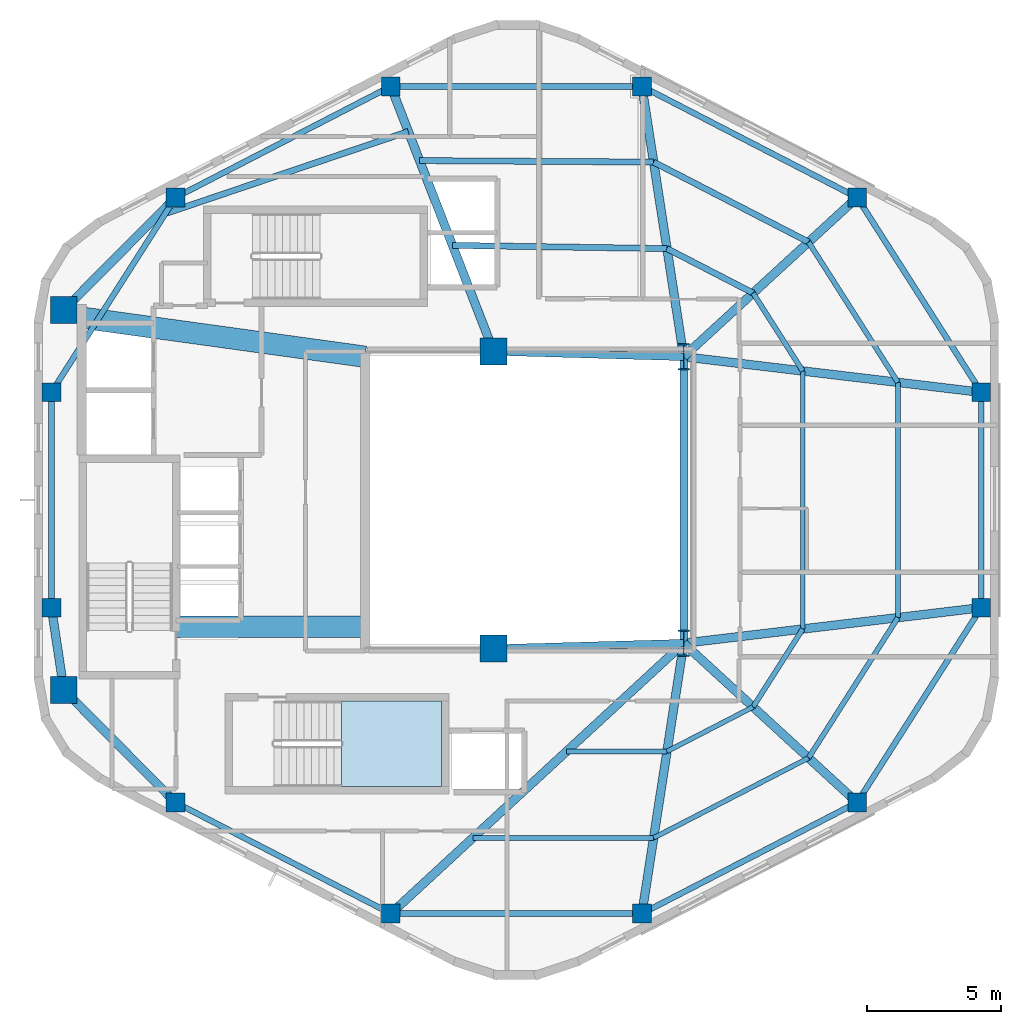
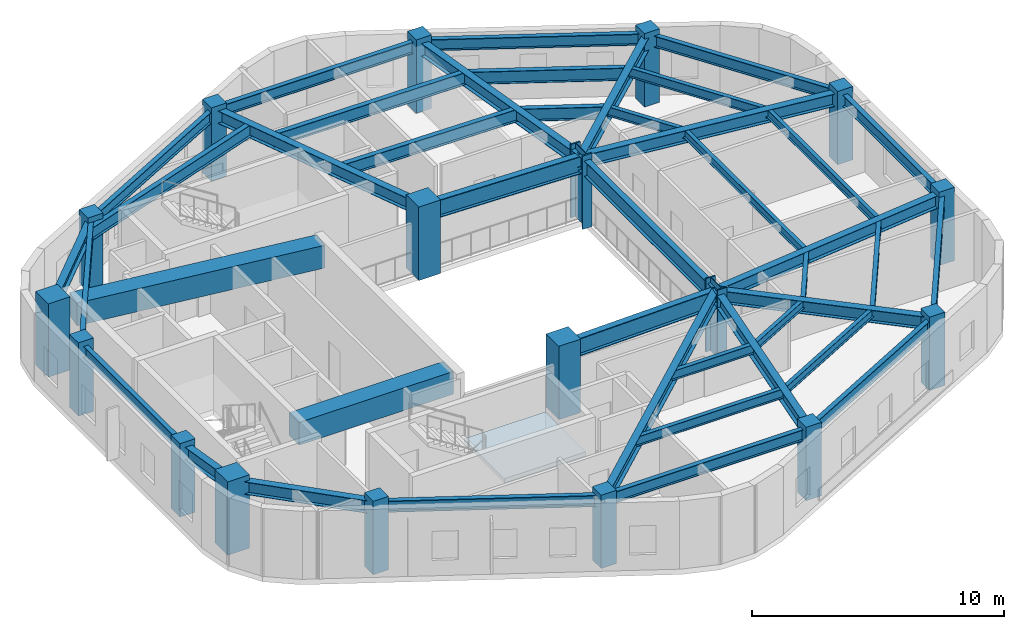
# One storey, part 1 of 7: 42 beams, 18 columns, 1 slab, 1 element without a shape of its own.
"""IFC4 building model written with IfcOpenShell, lengths in metres."""

from ifc_helpers import new_model, si_unit, direction, frame, origin, origin_2d, place, context, subcontext, project, spatial, polyline, rectangle, i_section, outline, extrude, material, layer, layer_set, material_profile, profile_set, type_object, element, aggregate, save


model = new_model("IFC4")

# Units and contexts
model_context = context("Model", 3, precision=1e-05, world=origin(), true_north=direction((0.0, 1.0)))
body_context = subcontext(model_context, "Body", "Model", "MODEL_VIEW")
ifc_project = project(units=[si_unit("LENGTHUNIT", "METRE"), si_unit("AREAUNIT", "SQUARE_METRE"), si_unit("VOLUMEUNIT", "CUBIC_METRE"), si_unit("PLANEANGLEUNIT", "RADIAN"), si_unit("MASSUNIT", "GRAM", prefix="KILO"), si_unit("THERMODYNAMICTEMPERATUREUNIT", "KELVIN"), si_unit("POWERUNIT", "WATT")], contexts=[model_context])

# Site, building, storey
site_placement = place(None, origin())
site = spatial("IfcSite", under=ifc_project, at=site_placement, CompositionType="ELEMENT")
building_placement = place(site_placement, origin())
building = spatial("IfcBuilding", under=site, at=building_placement, Name="Skarre Station Tower", CompositionType="ELEMENT")
storey_placement = place(building_placement, frame((0.0, 0.0, 263.199951171875)))
storey = spatial("IfcBuildingStorey", under=building, at=storey_placement, Name="L72", CompositionType="ELEMENT", Elevation=263.199951171875)

# Columns
ifc_material_1 = material(Name="Concrete C60/75", Category="concrete")
ifc_material_profile_1 = material_profile(ifc_material_1, rectangle(XDim=1.0, YDim=1.0, at=origin_2d()), Name="Concrete C60/75")
ifc_profile_set_1 = profile_set([ifc_material_profile_1], Name="Concrete C60/75")
column_type_1 = type_object("IfcColumnType", Name="RC Structural Column RC-COL-1000X1000", PredefinedType="COLUMN", material=ifc_profile_set_1)
for number, where, z_axis, x_axis, name in (
    (1, (16.300048828125, 16.89990234375, 0.0), (0.0, 0.0, 1.0), (1.0, 0.0, 0.0), "L72 Core Column CC-SW"),
    (2, (16.300048828125, 31.10009765625, 0.0), (0.0, 0.0, 1.0), (1.0, 0.0, 0.0), "L72 Core Column CC-NW"),
    (3, (32.35009765625, 18.449951171875, 0.0), (0.0, 0.0, 1.0), (1.0, 0.0, 0.0), "L72 Core Column CC-SE"),
    (4, (32.35009765625, 29.550048828125, 0.0), (0.0, 0.0, 1.0), (1.0, 0.0, 0.0), "L72 Core Column CC-NE"),
):
    element("IfcColumn", number, at=place(storey_placement, frame(where, z_axis=z_axis, x_axis=x_axis)), inside=storey, type_object=column_type_1, Name=name, PredefinedType="COLUMN", context=body_context, shape_type="SweptSolid", body=[
        extrude(rectangle(XDim=1.0, YDim=1.0, at=origin_2d()), origin(), (0.0, 0.0, 1.0), 3.550048828125),
    ])
ifc_material_2 = material(Name="Concrete C50/60", Category="concrete")
ifc_material_profile_2 = material_profile(ifc_material_2, rectangle(XDim=0.699951171875, YDim=0.699951171875, at=origin_2d()), Name="Concrete C50/60")
ifc_profile_set_2 = profile_set([ifc_material_profile_2], Name="Concrete C50/60")
column_type_2 = type_object("IfcColumnType", Name="RC Structural Column RC-COL-700X700", PredefinedType="COLUMN", material=ifc_profile_set_2)
for number, where, z_axis, x_axis, name in (
    (5, (45.927001953125, 35.298095703125, 0.0), (0.0, 0.0, 1.0), (1.0, 0.0, 0.0), "L72 Zone 4 Perimeter Column F0C1"),
    (6, (37.888916015625, 39.447021484375, 0.0), (0.0, 0.0, 1.0), (1.0, 0.0, 0.0), "L72 Zone 4 Perimeter Column F0C2"),
    (7, (28.510986328125, 39.447021484375, 0.0), (0.0, 0.0, 1.0), (1.0, 0.0, 0.0), "L72 Zone 4 Perimeter Column F1C1"),
    (8, (20.472900390625, 35.298095703125, 0.0), (0.0, 0.0, 1.0), (1.0, 0.0, 0.0), "L72 Zone 4 Perimeter Column F1C2"),
    (9, (15.8369140625, 28.02099609375, 0.0), (0.0, 0.0, 1.0), (1.0, 0.0, 0.0), "L72 Zone 4 Perimeter Column F2C1"),
    (10, (15.8369140625, 19.97900390625, 0.0), (0.0, 0.0, 1.0), (1.0, 0.0, 0.0), "L72 Zone 4 Perimeter Column F2C2"),
    (11, (20.472900390625, 12.701904296875, 0.0), (0.0, 0.0, 1.0), (1.0, 0.0, 0.0), "L72 Zone 4 Perimeter Column F3C1"),
    (12, (28.510986328125, 8.552978515625, 0.0), (0.0, 0.0, 1.0), (1.0, 0.0, 0.0), "L72 Zone 4 Perimeter Column F3C2"),
    (13, (37.888916015625, 8.552978515625, 0.0), (0.0, 0.0, 1.0), (1.0, 0.0, 0.0), "L72 Zone 4 Perimeter Column F4C1"),
    (14, (45.927001953125, 12.701904296875, 0.0), (0.0, 0.0, 1.0), (1.0, 0.0, 0.0), "L72 Zone 4 Perimeter Column F4C2"),
    (15, (50.56298828125, 19.97900390625, 0.0), (0.0, 0.0, 1.0), (1.0, 0.0, 0.0), "L72 Zone 4 Perimeter Column F5C1"),
    (16, (50.56298828125, 28.02099609375, 0.0), (0.0, 0.0, 1.0), (1.0, 0.0, 0.0), "L72 Zone 4 Perimeter Column F5C2"),
):
    element("IfcColumn", number, at=place(storey_placement, frame(where, z_axis=z_axis, x_axis=x_axis)), inside=storey, type_object=column_type_2, Name=name, PredefinedType="COLUMN", context=body_context, shape_type="SweptSolid", body=[
        extrude(rectangle(XDim=0.699951171875, YDim=0.699951171875, at=origin_2d()), origin(), (0.0, 0.0, 1.0), 3.550048828125),
    ])
ifc_material_3 = material(Name="Steel ASTM A913 Grade 65", Category="steel")
ifc_material_profile_3 = material_profile(ifc_material_3, i_section(OverallWidth=0.430908203125, OverallDepth=0.987060546875, WebThickness=0.033935546875, FlangeThickness=0.06201171875, at=origin_2d()), Name="Steel ASTM A913 Grade 65")
ifc_profile_set_3 = profile_set([ifc_material_profile_3], Name="Steel ASTM A913 Grade 65")
column_type_3 = type_object("IfcColumnType", Name="Steel Column W36X441", PredefinedType="COLUMN", material=ifc_profile_set_3)
for number, where, z_axis, x_axis, name in (
    (17, (39.449951171875, 18.64990234375, 0.0), (0.0, 0.0, 1.0), (1.0, 0.0, 0.0), "L72 Atrium Spine Column AC-SE"),
    (18, (39.449951171875, 29.35009765625, 0.0), (0.0, 0.0, 1.0), (1.0, 0.0, 0.0), "L72 Atrium Spine Column AC-NE"),
):
    element("IfcColumn", number, at=place(storey_placement, frame(where, z_axis=z_axis, x_axis=x_axis)), inside=storey, type_object=column_type_3, Name=name, PredefinedType="COLUMN", context=body_context, shape_type="SweptSolid", body=[
        extrude(i_section(OverallWidth=0.430908203125, OverallDepth=0.987060546875, WebThickness=0.033935546875, FlangeThickness=0.06201171875, at=origin_2d()), origin(), (0.0, 0.0, 1.0), 3.550048828125),
    ])

# Beams
ifc_material_4 = material(Name="Concrete C70/85", Category="concrete")
ifc_material_profile_4 = material_profile(ifc_material_4, rectangle(XDim=0.800048828125, YDim=1.10009765625, at=origin_2d()), Name="Concrete C70/85")
ifc_profile_set_4 = profile_set([ifc_material_profile_4], Name="Concrete C70/85")
beam_type_1 = type_object("IfcBeamType", Name="RC Core Coupling Lintel 800x1100", PredefinedType="LINTEL", material=ifc_profile_set_4)
beam_1_placement = place(storey_placement, frame((20.489990234375, 19.260009765625, 2.739990234375), z_axis=(1.0, 0.0, 0.0), x_axis=(0.0, 1.0, 0.0)))
element("IfcBeam", 19, at=beam_1_placement, inside=storey, type_object=beam_type_1, Name="L72 South Core Coupling Lintel", PredefinedType="LINTEL", context=body_context, shape_type="SweptSolid", body=[
    extrude(rectangle(XDim=0.800048828125, YDim=1.10009765625, at=origin_2d()), origin(), (0.0, 0.0, 1.0), 7.06005859375),
])
beam_2_placement = place(storey_placement, frame((17.050048828125, 30.800048828125, 2.739990234375), z_axis=(0.990599723633, -0.136792498109, 0.0), x_axis=(0.136792498109, 0.990599723633, 0.0)))
element("IfcBeam", 20, at=beam_2_placement, inside=storey, type_object=beam_type_1, Name="L72 North Core Coupling Lintel", PredefinedType="LINTEL", context=body_context, shape_type="SweptSolid", body=[
    extrude(rectangle(XDim=0.800048828125, YDim=1.10009765625, at=origin_2d()), origin(), (0.0, 0.0, 1.0), 10.599609375),
])
ifc_material_5 = material(Name="Steel ASTM A992 Grade 50", Category="steel")
ifc_material_profile_5 = material_profile(ifc_material_5, i_section(OverallWidth=0.323974609375, OverallDepth=0.611083984375, WebThickness=0.012939453125, FlangeThickness=0.01904296875, at=origin_2d()), Name="Steel ASTM A992 Grade 50")
ifc_profile_set_5 = profile_set([ifc_material_profile_5], Name="Steel ASTM A992 Grade 50")
beam_type_2 = type_object("IfcBeamType", Name="Steel Beam W24X104", PredefinedType="BEAM", material=ifc_profile_set_5)
beam_3_placement = place(storey_placement, frame((39.449951171875, 29.35009765625, 2.985107421875), z_axis=(0.736547671183, 0.676385635621, 0.0), x_axis=(-0.676385635621, 0.736547671183, 0.0)))
element("IfcBeam", 21, at=beam_3_placement, inside=storey, type_object=beam_type_2, Name="L72 Radial Floor Girder F0C1", PredefinedType="BEAM", context=body_context, shape_type="SweptSolid", body=[
    extrude(i_section(OverallWidth=0.323974609375, OverallDepth=0.611083984375, WebThickness=0.012939453125, FlangeThickness=0.01904296875, at=origin_2d()), origin(), (0.0, 0.0, 1.0), 8.793701171875),
])
beam_4_placement = place(storey_placement, frame((39.449951171875, 29.35009765625, 2.985107421875), z_axis=(-0.152789762931, 0.988258715288, 0.0), x_axis=(-0.988258715288, -0.152789762931, 0.0)))
element("IfcBeam", 22, at=beam_4_placement, inside=storey, type_object=beam_type_2, Name="L72 Radial Floor Girder F0C2", PredefinedType="BEAM", context=body_context, shape_type="SweptSolid", body=[
    extrude(i_section(OverallWidth=0.323974609375, OverallDepth=0.611083984375, WebThickness=0.012939453125, FlangeThickness=0.01904296875, at=origin_2d()), origin(), (0.0, 0.0, 1.0), 10.216796875),
])
beam_5_placement = place(storey_placement, frame((32.35009765625, 29.550048828125, 2.985107421875), z_axis=(-0.361651478681, 0.932313363611, 0.0), x_axis=(-0.932313363611, -0.361651478681, 0.0)))
element("IfcBeam", 23, at=beam_5_placement, inside=storey, type_object=beam_type_2, Name="L72 Radial Floor Girder F1C1", PredefinedType="BEAM", context=body_context, shape_type="SweptSolid", body=[
    extrude(i_section(OverallWidth=0.323974609375, OverallDepth=0.611083984375, WebThickness=0.012939453125, FlangeThickness=0.01904296875, at=origin_2d()), origin(), (0.0, 0.0, 1.0), 10.615478515625),
])
beam_6_placement = place(storey_placement, frame((16.300048828125, 31.10009765625, 2.985107421875), z_axis=(0.704979413242, 0.709227768002, 0.0), x_axis=(-0.709227768002, 0.704979413242, 0.0)))
element("IfcBeam", 24, at=beam_6_placement, inside=storey, type_object=beam_type_2, Name="L72 Radial Floor Girder F1C2", PredefinedType="BEAM", context=body_context, shape_type="SweptSolid", body=[
    extrude(i_section(OverallWidth=0.323974609375, OverallDepth=0.611083984375, WebThickness=0.012939453125, FlangeThickness=0.01904296875, at=origin_2d()), origin(), (0.0, 0.0, 1.0), 5.919189453125),
])
beam_7_placement = place(storey_placement, frame((16.300048828125, 16.89990234375, 2.985107421875), z_axis=(-0.148739188492, 0.988876460336, 0.0), x_axis=(-0.988876460336, -0.148739188492, 0.0)))
element("IfcBeam", 25, at=beam_7_placement, inside=storey, type_object=beam_type_2, Name="L72 Radial Floor Girder F2C2", PredefinedType="BEAM", context=body_context, shape_type="SweptSolid", body=[
    extrude(i_section(OverallWidth=0.323974609375, OverallDepth=0.611083984375, WebThickness=0.012939453125, FlangeThickness=0.01904296875, at=origin_2d()), origin(), (0.0, 0.0, 1.0), 3.11376953125),
])
beam_8_placement = place(storey_placement, frame((16.300048828125, 16.89990234375, 2.985107421875), z_axis=(0.704979413242, -0.709227768002, 0.0), x_axis=(0.709227768002, 0.704979413242, 0.0)))
element("IfcBeam", 26, at=beam_8_placement, inside=storey, type_object=beam_type_2, Name="L72 Radial Floor Girder F3C1", PredefinedType="BEAM", context=body_context, shape_type="SweptSolid", body=[
    extrude(i_section(OverallWidth=0.323974609375, OverallDepth=0.611083984375, WebThickness=0.012939453125, FlangeThickness=0.01904296875, at=origin_2d()), origin(), (0.0, 0.0, 1.0), 5.919189453125),
])
beam_9_placement = place(storey_placement, frame((39.449951171875, 18.64990234375, 2.985107421875), z_axis=(-0.734822935818, -0.678258986668, 0.0), x_axis=(0.678258986668, -0.734822935818, 0.0)))
element("IfcBeam", 27, at=beam_9_placement, inside=storey, type_object=beam_type_2, Name="L72 Radial Floor Girder F3C2", PredefinedType="BEAM", context=body_context, shape_type="SweptSolid", body=[
    extrude(i_section(OverallWidth=0.323974609375, OverallDepth=0.611083984375, WebThickness=0.012939453125, FlangeThickness=0.01904296875, at=origin_2d()), origin(), (0.0, 0.0, 1.0), 14.886474609375),
])
beam_10_placement = place(storey_placement, frame((39.449951171875, 18.64990234375, 2.985107421875), z_axis=(-0.152789762931, -0.988258715288, 0.0), x_axis=(0.988258715288, -0.152789762931, 0.0)))
element("IfcBeam", 28, at=beam_10_placement, inside=storey, type_object=beam_type_2, Name="L72 Radial Floor Girder F4C1", PredefinedType="BEAM", context=body_context, shape_type="SweptSolid", body=[
    extrude(i_section(OverallWidth=0.323974609375, OverallDepth=0.611083984375, WebThickness=0.012939453125, FlangeThickness=0.01904296875, at=origin_2d()), origin(), (0.0, 0.0, 1.0), 10.216796875),
])
beam_11_placement = place(storey_placement, frame((39.449951171875, 18.64990234375, 2.985107421875), z_axis=(0.736547671183, -0.676385635621, 0.0), x_axis=(0.676385635621, 0.736547671183, 0.0)))
element("IfcBeam", 29, at=beam_11_placement, inside=storey, type_object=beam_type_2, Name="L72 Radial Floor Girder F4C2", PredefinedType="BEAM", context=body_context, shape_type="SweptSolid", body=[
    extrude(i_section(OverallWidth=0.323974609375, OverallDepth=0.611083984375, WebThickness=0.012939453125, FlangeThickness=0.01904296875, at=origin_2d()), origin(), (0.0, 0.0, 1.0), 8.793701171875),
])
for number, where, z_axis, x_axis, name in (
    (30, (39.449951171875, 18.64990234375, 2.985107421875), (0.99292393128, 0.118752122891, 0.0), (-0.118752122891, 0.99292393128, 0.0), "L72 Radial Floor Girder F5C1"),
    (31, (39.449951171875, 29.35009765625, 2.985107421875), (0.99292393128, -0.118752122891, 0.0), (0.118752122891, 0.99292393128, 0.0), "L72 Radial Floor Girder F5C2"),
):
    element("IfcBeam", number, at=place(storey_placement, frame(where, z_axis=z_axis, x_axis=x_axis)), inside=storey, type_object=beam_type_2, Name=name, PredefinedType="BEAM", context=body_context, shape_type="SweptSolid", body=[
        extrude(i_section(OverallWidth=0.323974609375, OverallDepth=0.611083984375, WebThickness=0.012939453125, FlangeThickness=0.01904296875, at=origin_2d()), origin(), (0.0, 0.0, 1.0), 11.192138671875),
    ])
ifc_material_profile_6 = material_profile(ifc_material_5, i_section(OverallWidth=0.26806640625, OverallDepth=0.77001953125, WebThickness=0.01611328125, FlangeThickness=0.02490234375, at=origin_2d()), Name="Steel ASTM A992 Grade 50")
ifc_profile_set_6 = profile_set([ifc_material_profile_6], Name="Steel ASTM A992 Grade 50")
beam_type_3 = type_object("IfcBeamType", Name="Steel Beam W30X132", PredefinedType="BEAM", material=ifc_profile_set_6)
beam_12_placement = place(storey_placement, frame((39.449951171875, 18.64990234375, 2.905029296875), z_axis=(0.0, 1.0, 0.0), x_axis=(-1.0, 0.0, 0.0)))
element("IfcBeam", 32, at=beam_12_placement, inside=storey, type_object=beam_type_3, Name="L72 Atrium East Edge Girder", PredefinedType="BEAM", context=body_context, shape_type="SweptSolid", body=[
    extrude(i_section(OverallWidth=0.26806640625, OverallDepth=0.77001953125, WebThickness=0.01611328125, FlangeThickness=0.02490234375, at=origin_2d()), origin(), (0.0, 0.0, 1.0), 10.7001953125),
])
ifc_material_profile_7 = material_profile(ifc_material_5, i_section(OverallWidth=0.2919921875, OverallDepth=0.85888671875, WebThickness=0.01708984375, FlangeThickness=0.031005859375, at=origin_2d()), Name="Steel ASTM A992 Grade 50")
ifc_profile_set_7 = profile_set([ifc_material_profile_7], Name="Steel ASTM A992 Grade 50")
beam_type_4 = type_object("IfcBeamType", Name="Steel Beam W33X169", PredefinedType="BEAM", material=ifc_profile_set_7)
for number, where, z_axis, x_axis, name in (
    (33, (32.35009765625, 18.449951171875, 2.860107421875), (0.999603666405, 0.028151556095, 0.0), (-0.028151556095, 0.999603666405, 0.0), "L72 Atrium South Edge Girder"),
    (34, (32.35009765625, 29.550048828125, 2.860107421875), (0.999603666405, -0.028151556095, 0.0), (0.028151556095, 0.999603666405, 0.0), "L72 Atrium North Edge Girder"),
):
    element("IfcBeam", number, at=place(storey_placement, frame(where, z_axis=z_axis, x_axis=x_axis)), inside=storey, type_object=beam_type_4, Name=name, PredefinedType="BEAM", context=body_context, shape_type="SweptSolid", body=[
        extrude(i_section(OverallWidth=0.2919921875, OverallDepth=0.85888671875, WebThickness=0.01708984375, FlangeThickness=0.031005859375, at=origin_2d()), origin(), (0.0, 0.0, 1.0), 7.102783203125),
    ])
ifc_material_profile_8 = material_profile(ifc_material_5, i_section(OverallWidth=0.177978515625, OverallDepth=0.403076171875, WebThickness=0.008056640625, FlangeThickness=0.010986328125, at=origin_2d()), Name="Steel ASTM A992 Grade 50")
ifc_profile_set_8 = profile_set([ifc_material_profile_8], Name="Steel ASTM A992 Grade 50")
beam_type_5 = type_object("IfcBeamType", Name="Steel Joist W16X36", PredefinedType="JOIST", material=ifc_profile_set_8)
beam_13_placement = place(storey_placement, frame((38.825927734375, 14.611083984375, 3.088134765625), z_axis=(0.888562989562, 0.458754633308, 0.0), x_axis=(-0.458754633308, 0.888562989562, 0.0)))
element("IfcBeam", 35, at=beam_13_placement, inside=storey, type_object=beam_type_5, Name="L72 Auxiliary Composite Joist 11", PredefinedType="JOIST", context=body_context, shape_type="SweptSolid", body=[
    extrude(i_section(OverallWidth=0.177978515625, OverallDepth=0.403076171875, WebThickness=0.008056640625, FlangeThickness=0.010986328125, at=origin_2d()), origin(), (0.0, 0.0, 1.0), 3.618408203125),
])
beam_14_placement = place(storey_placement, frame((38.325927734375, 11.3798828125, 3.088134765625), z_axis=(0.888610306875, 0.458662972689, 0.0), x_axis=(-0.458662972689, 0.888610306875, 0.0)))
element("IfcBeam", 36, at=beam_14_placement, inside=storey, type_object=beam_type_5, Name="L72 Auxiliary Composite Joist 12", PredefinedType="JOIST", context=body_context, shape_type="SweptSolid", body=[
    extrude(i_section(OverallWidth=0.177978515625, OverallDepth=0.403076171875, WebThickness=0.008056640625, FlangeThickness=0.010986328125, at=origin_2d()), origin(), (0.0, 0.0, 1.0), 6.512451171875),
])
beam_15_placement = place(storey_placement, frame((43.89501953125, 19.181884765625, 3.088134765625), z_axis=(0.0, 1.0, 0.0), x_axis=(-1.0, 0.0, 0.0)))
element("IfcBeam", 37, at=beam_15_placement, inside=storey, type_object=beam_type_5, Name="L72 Auxiliary Composite Joist 15", PredefinedType="JOIST", context=body_context, shape_type="SweptSolid", body=[
    extrude(i_section(OverallWidth=0.177978515625, OverallDepth=0.403076171875, WebThickness=0.008056640625, FlangeThickness=0.010986328125, at=origin_2d()), origin(), (0.0, 0.0, 1.0), 9.63623046875),
])
beam_16_placement = place(storey_placement, frame((47.450927734375, 19.60693359375, 3.088134765625), z_axis=(0.0, 1.0, 0.0), x_axis=(-1.0, 0.0, 0.0)))
element("IfcBeam", 38, at=beam_16_placement, inside=storey, type_object=beam_type_5, Name="L72 Auxiliary Composite Joist 16", PredefinedType="JOIST", context=body_context, shape_type="SweptSolid", body=[
    extrude(i_section(OverallWidth=0.177978515625, OverallDepth=0.403076171875, WebThickness=0.008056640625, FlangeThickness=0.010986328125, at=origin_2d()), origin(), (0.0, 0.0, 1.0), 8.7861328125),
])
ifc_material_profile_9 = material_profile(ifc_material_5, i_section(OverallWidth=0.19091796875, OverallDepth=0.45703125, WebThickness=0.009033203125, FlangeThickness=0.013916015625, at=origin_2d()), Name="Steel ASTM A992 Grade 50")
ifc_profile_set_9 = profile_set([ifc_material_profile_9], Name="Steel ASTM A992 Grade 50")
beam_type_6 = type_object("IfcBeamType", Name="Steel Joist W18X50", PredefinedType="JOIST", material=ifc_profile_set_9)
beam_17_placement = place(storey_placement, frame((35.073974609375, 14.611083984375, 3.06201171875), z_axis=(1.0, 0.0, 0.0), x_axis=(0.0, 1.0, 0.0)))
element("IfcBeam", 39, at=beam_17_placement, inside=storey, type_object=beam_type_6, Name="L72 Auxiliary Composite Joist 9", PredefinedType="JOIST", context=body_context, shape_type="SweptSolid", body=[
    extrude(i_section(OverallWidth=0.19091796875, OverallDepth=0.45703125, WebThickness=0.009033203125, FlangeThickness=0.013916015625, at=origin_2d()), origin(), (0.0, 0.0, 1.0), 3.751953125),
])
beam_18_placement = place(storey_placement, frame((31.573974609375, 11.3798828125, 3.06201171875), z_axis=(1.0, 0.0, 0.0), x_axis=(0.0, 1.0, 0.0)))
element("IfcBeam", 40, at=beam_18_placement, inside=storey, type_object=beam_type_6, Name="L72 Auxiliary Composite Joist 10", PredefinedType="JOIST", context=body_context, shape_type="SweptSolid", body=[
    extrude(i_section(OverallWidth=0.19091796875, OverallDepth=0.45703125, WebThickness=0.009033203125, FlangeThickness=0.013916015625, at=origin_2d()), origin(), (0.0, 0.0, 1.0), 6.751953125),
])
beam_19_placement = place(storey_placement, frame((42.041015625, 16.27099609375, 3.06201171875), z_axis=(0.537209598798, 0.843448781468, 0.0), x_axis=(-0.843448781468, 0.537209598798, 0.0)))
element("IfcBeam", 41, at=beam_19_placement, inside=storey, type_object=beam_type_6, Name="L72 Auxiliary Composite Joist 13", PredefinedType="JOIST", context=body_context, shape_type="SweptSolid", body=[
    extrude(i_section(OverallWidth=0.19091796875, OverallDepth=0.45703125, WebThickness=0.009033203125, FlangeThickness=0.013916015625, at=origin_2d()), origin(), (0.0, 0.0, 1.0), 3.451171875),
])
beam_20_placement = place(storey_placement, frame((44.113037109375, 14.366943359375, 3.06201171875), z_axis=(0.537259384828, 0.843417069672, 0.0), x_axis=(-0.843417069672, 0.537259384828, 0.0)))
element("IfcBeam", 42, at=beam_20_placement, inside=storey, type_object=beam_type_6, Name="L72 Auxiliary Composite Joist 14", PredefinedType="JOIST", context=body_context, shape_type="SweptSolid", body=[
    extrude(i_section(OverallWidth=0.19091796875, OverallDepth=0.45703125, WebThickness=0.009033203125, FlangeThickness=0.013916015625, at=origin_2d()), origin(), (0.0, 0.0, 1.0), 6.212890625),
])
beam_21_placement = place(storey_placement, frame((43.89501953125, 28.818115234375, 3.06201171875), z_axis=(-0.537209598798, 0.843448781468, 0.0), x_axis=(-0.843448781468, -0.537209598798, 0.0)))
element("IfcBeam", 43, at=beam_21_placement, inside=storey, type_object=beam_type_6, Name="L72 Auxiliary Composite Joist 17", PredefinedType="JOIST", context=body_context, shape_type="SweptSolid", body=[
    extrude(i_section(OverallWidth=0.19091796875, OverallDepth=0.45703125, WebThickness=0.009033203125, FlangeThickness=0.013916015625, at=origin_2d()), origin(), (0.0, 0.0, 1.0), 3.451171875),
])
beam_22_placement = place(storey_placement, frame((47.450927734375, 28.39306640625, 3.06201171875), z_axis=(-0.537259384828, 0.843417069672, 0.0), x_axis=(-0.843417069672, -0.537259384828, 0.0)))
element("IfcBeam", 44, at=beam_22_placement, inside=storey, type_object=beam_type_6, Name="L72 Auxiliary Composite Joist 18", PredefinedType="JOIST", context=body_context, shape_type="SweptSolid", body=[
    extrude(i_section(OverallWidth=0.19091796875, OverallDepth=0.45703125, WebThickness=0.009033203125, FlangeThickness=0.013916015625, at=origin_2d()), origin(), (0.0, 0.0, 1.0), 6.212890625),
])
ifc_material_profile_10 = material_profile(ifc_material_5, i_section(OverallWidth=0.22802734375, OverallDepth=0.60791015625, WebThickness=0.010986328125, FlangeThickness=0.01708984375, at=origin_2d()), Name="Steel ASTM A992 Grade 50")
ifc_profile_set_10 = profile_set([ifc_material_profile_10], Name="Steel ASTM A992 Grade 50")
beam_type_7 = type_object("IfcBeamType", Name="Steel Joist W24X76", PredefinedType="JOIST", material=ifc_profile_set_10)
beam_23_placement = place(storey_placement, frame((42.041015625, 31.72900390625, 2.986083984375), z_axis=(-0.888562989562, 0.458754633308, 0.0), x_axis=(-0.458754633308, -0.888562989562, 0.0)))
element("IfcBeam", 45, at=beam_23_placement, inside=storey, type_object=beam_type_7, Name="L72 Secondary Floor Joist 1", PredefinedType="JOIST", context=body_context, shape_type="SweptSolid", body=[
    extrude(i_section(OverallWidth=0.22802734375, OverallDepth=0.60791015625, WebThickness=0.010986328125, FlangeThickness=0.01708984375, at=origin_2d()), origin(), (0.0, 0.0, 1.0), 3.618408203125),
])
beam_24_placement = place(storey_placement, frame((44.113037109375, 33.633056640625, 2.986083984375), z_axis=(-0.888610306875, 0.458662972689, 0.0), x_axis=(-0.458662972689, -0.888610306875, 0.0)))
element("IfcBeam", 46, at=beam_24_placement, inside=storey, type_object=beam_type_7, Name="L72 Secondary Floor Joist 2", PredefinedType="JOIST", context=body_context, shape_type="SweptSolid", body=[
    extrude(i_section(OverallWidth=0.22802734375, OverallDepth=0.60791015625, WebThickness=0.010986328125, FlangeThickness=0.01708984375, at=origin_2d()), origin(), (0.0, 0.0, 1.0), 6.512451171875),
])
beam_25_placement = place(storey_placement, frame((38.825927734375, 33.388916015625, 2.986083984375), z_axis=(-0.999887635467, 0.014990545042, 0.0), x_axis=(-0.014990545042, -0.999887635467, 0.0)))
element("IfcBeam", 47, at=beam_25_placement, inside=storey, type_object=beam_type_7, Name="L72 Secondary Floor Joist 3", PredefinedType="JOIST", context=body_context, shape_type="SweptSolid", body=[
    extrude(i_section(OverallWidth=0.22802734375, OverallDepth=0.60791015625, WebThickness=0.010986328125, FlangeThickness=0.01708984375, at=origin_2d()), origin(), (0.0, 0.0, 1.0), 8.012939453125),
])
beam_26_placement = place(storey_placement, frame((38.325927734375, 36.6201171875, 2.986083984375), z_axis=(-0.999979540932, 0.006396695854, 0.0), x_axis=(-0.006396695854, -0.999979540932, 0.0)))
element("IfcBeam", 48, at=beam_26_placement, inside=storey, type_object=beam_type_7, Name="L72 Secondary Floor Joist 4", PredefinedType="JOIST", context=body_context, shape_type="SweptSolid", body=[
    extrude(i_section(OverallWidth=0.22802734375, OverallDepth=0.60791015625, WebThickness=0.010986328125, FlangeThickness=0.01708984375, at=origin_2d()), origin(), (0.0, 0.0, 1.0), 8.740234375),
])
beam_27_placement = place(storey_placement, frame((29.1640625, 37.764892578125, 2.986083984375), z_axis=(-0.947236771085, -0.320534708736, 0.0), x_axis=(0.320534708736, -0.947236771085, 0.0)))
element("IfcBeam", 49, at=beam_27_placement, inside=storey, type_object=beam_type_7, Name="L72 Secondary Floor Joist 6", PredefinedType="JOIST", context=body_context, shape_type="SweptSolid", body=[
    extrude(i_section(OverallWidth=0.22802734375, OverallDepth=0.60791015625, WebThickness=0.010986328125, FlangeThickness=0.01708984375, at=origin_2d()), origin(), (0.0, 0.0, 1.0), 9.923828125),
])
ifc_material_profile_11 = material_profile(ifc_material_5, i_section(OverallWidth=0.214111328125, OverallDepth=0.549072265625, WebThickness=0.014892578125, FlangeThickness=0.02392578125, at=origin_2d()), Name="Steel ASTM A992 Grade 50")
ifc_profile_set_11 = profile_set([ifc_material_profile_11], Name="Steel ASTM A992 Grade 50")
beam_type_8 = type_object("IfcBeamType", Name="Steel Spandrel W21X93", PredefinedType="SPANDREL", material=ifc_profile_set_11)
beam_28_placement = place(storey_placement, frame((45.927001953125, 35.298095703125, 3.01611328125), z_axis=(-0.888610011727, 0.458663544505, 0.0), x_axis=(-0.458663544505, -0.888610011727, 0.0)))
element("IfcBeam", 50, at=beam_28_placement, inside=storey, type_object=beam_type_8, Name="L72 Facet Spandrel Beam 1", PredefinedType="SPANDREL", context=body_context, shape_type="SweptSolid", body=[
    extrude(i_section(OverallWidth=0.214111328125, OverallDepth=0.549072265625, WebThickness=0.014892578125, FlangeThickness=0.02392578125, at=origin_2d()), origin(), (0.0, 0.0, 1.0), 9.045654296875),
])
beam_29_placement = place(storey_placement, frame((37.888916015625, 39.447021484375, 3.01611328125), z_axis=(-1.0, 0.0, 0.0), x_axis=(0.0, -1.0, 0.0)))
element("IfcBeam", 51, at=beam_29_placement, inside=storey, type_object=beam_type_8, Name="L72 Facet Spandrel Beam 2", PredefinedType="SPANDREL", context=body_context, shape_type="SweptSolid", body=[
    extrude(i_section(OverallWidth=0.214111328125, OverallDepth=0.549072265625, WebThickness=0.014892578125, FlangeThickness=0.02392578125, at=origin_2d()), origin(), (0.0, 0.0, 1.0), 9.3779296875),
])
beam_30_placement = place(storey_placement, frame((28.510986328125, 39.447021484375, 3.01611328125), z_axis=(-0.888610011727, -0.458663544505, 0.0), x_axis=(0.458663544505, -0.888610011727, 0.0)))
element("IfcBeam", 52, at=beam_30_placement, inside=storey, type_object=beam_type_8, Name="L72 Facet Spandrel Beam 3", PredefinedType="SPANDREL", context=body_context, shape_type="SweptSolid", body=[
    extrude(i_section(OverallWidth=0.214111328125, OverallDepth=0.549072265625, WebThickness=0.014892578125, FlangeThickness=0.02392578125, at=origin_2d()), origin(), (0.0, 0.0, 1.0), 9.045654296875),
])
beam_31_placement = place(storey_placement, frame((20.472900390625, 35.298095703125, 3.01611328125), z_axis=(-0.537296523663, -0.843393410965, 0.0), x_axis=(0.843393410965, -0.537296523663, 0.0)))
element("IfcBeam", 53, at=beam_31_placement, inside=storey, type_object=beam_type_8, Name="L72 Facet Spandrel Beam 4", PredefinedType="SPANDREL", context=body_context, shape_type="SweptSolid", body=[
    extrude(i_section(OverallWidth=0.214111328125, OverallDepth=0.549072265625, WebThickness=0.014892578125, FlangeThickness=0.02392578125, at=origin_2d()), origin(), (0.0, 0.0, 1.0), 8.62841796875),
])
beam_32_placement = place(storey_placement, frame((15.8369140625, 28.02099609375, 3.01611328125), z_axis=(0.0, -1.0, 0.0), x_axis=(1.0, 0.0, 0.0)))
element("IfcBeam", 54, at=beam_32_placement, inside=storey, type_object=beam_type_8, Name="L72 Facet Spandrel Beam 5", PredefinedType="SPANDREL", context=body_context, shape_type="SweptSolid", body=[
    extrude(i_section(OverallWidth=0.214111328125, OverallDepth=0.549072265625, WebThickness=0.014892578125, FlangeThickness=0.02392578125, at=origin_2d()), origin(), (0.0, 0.0, 1.0), 8.0419921875),
])
beam_33_placement = place(storey_placement, frame((20.472900390625, 12.701904296875, 3.01611328125), z_axis=(0.888610011727, -0.458663544505, 0.0), x_axis=(0.458663544505, 0.888610011727, 0.0)))
element("IfcBeam", 55, at=beam_33_placement, inside=storey, type_object=beam_type_8, Name="L72 Facet Spandrel Beam 7", PredefinedType="SPANDREL", context=body_context, shape_type="SweptSolid", body=[
    extrude(i_section(OverallWidth=0.214111328125, OverallDepth=0.549072265625, WebThickness=0.014892578125, FlangeThickness=0.02392578125, at=origin_2d()), origin(), (0.0, 0.0, 1.0), 9.045654296875),
])
beam_34_placement = place(storey_placement, frame((28.510986328125, 8.552978515625, 3.01611328125), z_axis=(1.0, 0.0, 0.0), x_axis=(0.0, 1.0, 0.0)))
element("IfcBeam", 56, at=beam_34_placement, inside=storey, type_object=beam_type_8, Name="L72 Facet Spandrel Beam 8", PredefinedType="SPANDREL", context=body_context, shape_type="SweptSolid", body=[
    extrude(i_section(OverallWidth=0.214111328125, OverallDepth=0.549072265625, WebThickness=0.014892578125, FlangeThickness=0.02392578125, at=origin_2d()), origin(), (0.0, 0.0, 1.0), 9.3779296875),
])
beam_35_placement = place(storey_placement, frame((37.888916015625, 8.552978515625, 3.01611328125), z_axis=(0.888610011727, 0.458663544505, 0.0), x_axis=(-0.458663544505, 0.888610011727, 0.0)))
element("IfcBeam", 57, at=beam_35_placement, inside=storey, type_object=beam_type_8, Name="L72 Facet Spandrel Beam 9", PredefinedType="SPANDREL", context=body_context, shape_type="SweptSolid", body=[
    extrude(i_section(OverallWidth=0.214111328125, OverallDepth=0.549072265625, WebThickness=0.014892578125, FlangeThickness=0.02392578125, at=origin_2d()), origin(), (0.0, 0.0, 1.0), 9.045654296875),
])
beam_36_placement = place(storey_placement, frame((45.927001953125, 12.701904296875, 3.01611328125), z_axis=(0.537296523663, 0.843393410965, 0.0), x_axis=(-0.843393410965, 0.537296523663, 0.0)))
element("IfcBeam", 58, at=beam_36_placement, inside=storey, type_object=beam_type_8, Name="L72 Facet Spandrel Beam 10", PredefinedType="SPANDREL", context=body_context, shape_type="SweptSolid", body=[
    extrude(i_section(OverallWidth=0.214111328125, OverallDepth=0.549072265625, WebThickness=0.014892578125, FlangeThickness=0.02392578125, at=origin_2d()), origin(), (0.0, 0.0, 1.0), 8.62841796875),
])
beam_37_placement = place(storey_placement, frame((50.56298828125, 19.97900390625, 3.01611328125), z_axis=(0.0, 1.0, 0.0), x_axis=(-1.0, 0.0, 0.0)))
element("IfcBeam", 59, at=beam_37_placement, inside=storey, type_object=beam_type_8, Name="L72 Facet Spandrel Beam 11", PredefinedType="SPANDREL", context=body_context, shape_type="SweptSolid", body=[
    extrude(i_section(OverallWidth=0.214111328125, OverallDepth=0.549072265625, WebThickness=0.014892578125, FlangeThickness=0.02392578125, at=origin_2d()), origin(), (0.0, 0.0, 1.0), 8.0419921875),
])
beam_38_placement = place(storey_placement, frame((50.56298828125, 28.02099609375, 3.01611328125), z_axis=(-0.537296523663, 0.843393410965, 0.0), x_axis=(-0.843393410965, -0.537296523663, 0.0)))
element("IfcBeam", 60, at=beam_38_placement, inside=storey, type_object=beam_type_8, Name="L72 Facet Spandrel Beam 12", PredefinedType="SPANDREL", context=body_context, shape_type="SweptSolid", body=[
    extrude(i_section(OverallWidth=0.214111328125, OverallDepth=0.549072265625, WebThickness=0.014892578125, FlangeThickness=0.02392578125, at=origin_2d()), origin(), (0.0, 0.0, 1.0), 8.62841796875),
])

# Stair, slab
ifc_material_6 = material(Name="Concrete C40/50", Category="concrete")
stair_type = type_object("IfcStairType", Name="Reinforced Concrete Exit Stair ST-2", PredefinedType="HALF_TURN_STAIR", material=ifc_material_6)
stair_placement = place(storey_placement, origin())
stair = element("IfcStair", 61, at=stair_placement, inside=storey, type_object=stair_type, Name="L72 Core Exit Stair ST-2", PredefinedType="HALF_TURN_STAIR")
ifc_layer = layer(ifc_material_6, 0.219970703125, Name="Concrete C40/50")
ifc_layer_set = layer_set([ifc_layer], Name="Concrete C40/50")
slab_type = type_object("IfcSlabType", Name="Reinforced Concrete Stair & Ramp Landing 220", PredefinedType="LANDING", material=ifc_layer_set)
slab_placement = place(storey_placement, frame((0.0, 0.0, 1.574951171875)))
slab = element("IfcSlab", 62, at=slab_placement, type_object=slab_type, Name="ST-2 landing 1", PredefinedType="LANDING", context=body_context, shape_type="SweptSolid", body=[
    extrude(outline(polyline([(26.669921875, 13.300048828125), (30.39990234375, 13.300048828125), (30.39990234375, 16.5), (26.669921875, 16.5), (26.669921875, 13.300048828125)])), origin(), (0.0, 0.0, 1.0), 0.2001953125),
])
aggregate(stair, [slab])

save(model, "model.ifc")
